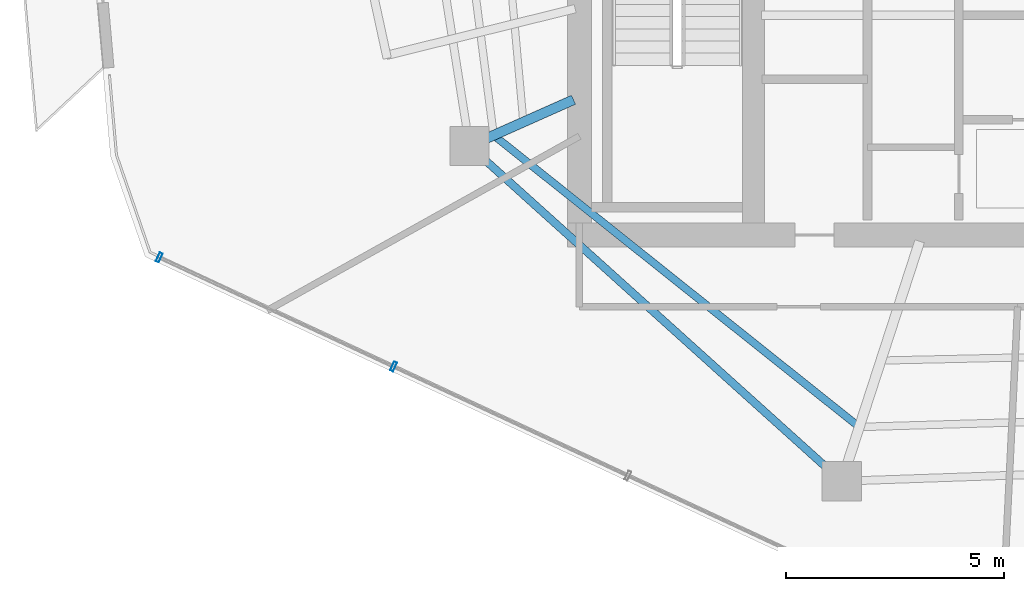
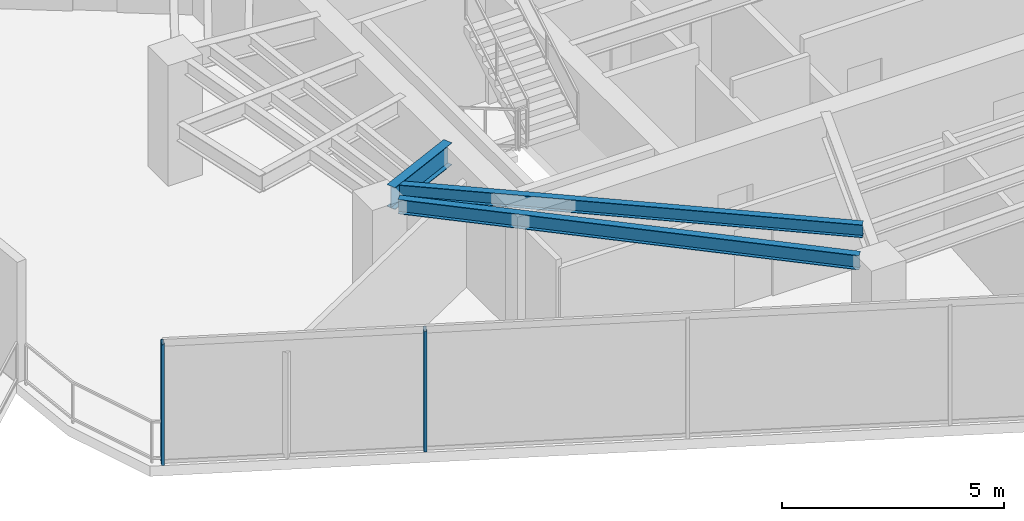
# One storey, part 4 of 20: 3 beams, 2 members, 1 element without a shape of its own.
"""IFC4 building model written with IfcOpenShell, lengths in metres."""

from ifc_helpers import new_model, si_unit, direction, frame, origin, origin_2d, place, context, subcontext, project, spatial, hollow_rectangle, i_section, extrude, material, layer, layer_set, material_profile, profile_set, type_object, element, aggregate, save


model = new_model("IFC4")

# Units and contexts
model_context = context("Model", 3, precision=1e-05, world=origin(), true_north=direction((0.0, 1.0)))
body_context = subcontext(model_context, "Body", "Model", "MODEL_VIEW")
ifc_project = project(units=[si_unit("LENGTHUNIT", "METRE"), si_unit("AREAUNIT", "SQUARE_METRE"), si_unit("VOLUMEUNIT", "CUBIC_METRE"), si_unit("PLANEANGLEUNIT", "RADIAN"), si_unit("MASSUNIT", "GRAM", prefix="KILO")], contexts=[model_context])

# Site, building, storey
site_placement = place(None, origin())
site = spatial("IfcSite", under=ifc_project, at=site_placement, CompositionType="ELEMENT")
building_placement = place(site_placement, origin())
building = spatial("IfcBuilding", under=site, at=building_placement, Name="Qarnah Convention Tower", CompositionType="ELEMENT")
storey_placement = place(building_placement, frame((0.0, 0.0, 198.60009765625)))
storey = spatial("IfcBuildingStorey", under=building, at=storey_placement, Name="L53", CompositionType="ELEMENT", Elevation=198.60009765625)

# Beams
ifc_material_1 = material(Name="Structural steel S355JR", Category="steel")
ifc_material_profile_1 = material_profile(ifc_material_1, i_section(OverallWidth=0.172119140625, OverallDepth=0.35595703125, WebThickness=0.007080078125, FlangeThickness=0.011962890625, at=origin_2d()), Name="W360X51")
ifc_profile_set_1 = profile_set([ifc_material_profile_1], Name="Structural steel S355JR")
beam_type_1 = type_object("IfcBeamType", Name="BM-JST-W360", PredefinedType="JOIST", material=ifc_profile_set_1)
beam_1_placement = place(storey_placement, frame((24.89892578125, 20.8359375, 3.141845703125), z_axis=(0.781677166358, -0.62368325903, 0.0), x_axis=(0.62368325903, 0.781677166358, 0.0)))
element("IfcBeam", 1, at=beam_1_placement, inside=storey, type_object=beam_type_1, Name="L53 joist BM-L53-SJST-06", PredefinedType="JOIST", context=body_context, shape_type="SweptSolid", body=[
    extrude(i_section(OverallWidth=0.172119140625, OverallDepth=0.35595703125, WebThickness=0.007080078125, FlangeThickness=0.011962890625, at=origin_2d()), origin(), (0.0, 0.0, 1.0), 10.569580078125),
])
ifc_material_profile_2 = material_profile(ifc_material_1, i_section(OverallWidth=0.22802734375, OverallDepth=0.60791015625, WebThickness=0.010986328125, FlangeThickness=0.01708984375, at=origin_2d()), Name="W610X113")
ifc_profile_set_2 = profile_set([ifc_material_profile_2], Name="Structural steel S355JR")
beam_type_2 = type_object("IfcBeamType", Name="BM-RAD-W610B", PredefinedType="BEAM", material=ifc_profile_set_2)
beam_2_placement = place(storey_placement, frame((26.6630859375, 21.708984375, 3.015869140625), z_axis=(-0.913585734164, -0.406646168471, 0.0), x_axis=(0.406646168471, -0.913585734164, 0.0)))
element("IfcBeam", 2, at=beam_2_placement, inside=storey, type_object=beam_type_2, Name="L53 beam BM-L53-RAD-06", PredefinedType="BEAM", context=body_context, shape_type="SweptSolid", body=[
    extrude(i_section(OverallWidth=0.22802734375, OverallDepth=0.60791015625, WebThickness=0.010986328125, FlangeThickness=0.01708984375, at=origin_2d()), origin(), (0.0, 0.0, 1.0), 2.18603515625),
])
ifc_material_profile_3 = material_profile(ifc_material_1, i_section(OverallWidth=0.179931640625, OverallDepth=0.39990234375, WebThickness=0.009033203125, FlangeThickness=0.013916015625, at=origin_2d()), Name="IPE400")
ifc_profile_set_3 = profile_set([ifc_material_profile_3], Name="Structural steel S355JR")
beam_type_3 = type_object("IfcBeamType", Name="BM-SPN-IPE400", PredefinedType="SPANDREL", material=ifc_profile_set_3)
beam_3_placement = place(storey_placement, frame((24.60009765625, 20.35107421875, 3.119873046875), z_axis=(0.743102275255, -0.669177860147, 0.0), x_axis=(0.669177860147, 0.743102275255, 0.0)))
element("IfcBeam", 3, at=beam_3_placement, inside=storey, type_object=beam_type_3, Name="L53 spandrel BM-L53-SPN-06", PredefinedType="SPANDREL", context=body_context, shape_type="SweptSolid", body=[
    extrude(i_section(OverallWidth=0.179931640625, OverallDepth=0.39990234375, WebThickness=0.009033203125, FlangeThickness=0.013916015625, at=origin_2d()), origin(), (0.0, 0.0, 1.0), 10.630859375),
])

# Curtain wall, members
ifc_material_2 = material(Name="Tempered Low-E dark glass", Category="glass")
ifc_layer = layer(ifc_material_2, 0.174072265625)
ifc_layer_set = layer_set([ifc_layer], Name="Tempered Low-E dark glass")
curtain_wall_type = type_object("IfcCurtainWallType", Name="CWS-04", PredefinedType="NOTDEFINED", material=ifc_layer_set)
curtain_wall_placement = place(storey_placement, origin())
curtain_wall = element("IfcCurtainWall", 4, at=curtain_wall_placement, inside=storey, type_object=curtain_wall_type, Name="L53 unitised curtain wall CW-L53-F2", PredefinedType="NOTDEFINED")
ifc_material_3 = material(Name="Black anodised aluminium", Category="aluminium")
ifc_material_profile_4 = material_profile(ifc_material_3, hollow_rectangle(XDim=0.074951171875, YDim=0.219970703125, WallThickness=0.0048828125, at=origin_2d()), Name="MUL-75X220")
ifc_profile_set_4 = profile_set([ifc_material_profile_4], Name="Black anodised aluminium")
member_type = type_object("IfcMemberType", Name="MUL-T4", PredefinedType="MULLION", material=ifc_profile_set_4)
member_1_placement = place(storey_placement, frame((22.5283203125, 15.577880859375, 0.0), z_axis=(0.0, 0.0, 1.0), x_axis=(-0.906605820486, 0.421978537678, 0.0)))
member_1 = element("IfcMember", 5, at=member_1_placement, type_object=member_type, Name="CW-L53-F2 mullion 5", PredefinedType="MULLION", context=body_context, shape_type="SweptSolid", body=[
    extrude(hollow_rectangle(XDim=0.074951171875, YDim=0.219970703125, WallThickness=0.0048828125, at=origin_2d()), origin(), (0.0, 0.0, 1.0), 3.31982421875),
])
member_2_placement = place(storey_placement, frame((17.14208984375, 18.0849609375, 0.0), z_axis=(0.0, 0.0, 1.0), x_axis=(-0.906605820486, 0.421978537678, 0.0)))
member_2 = element("IfcMember", 6, at=member_2_placement, type_object=member_type, Name="CW-L53-F2 mullion 6", PredefinedType="MULLION", context=body_context, shape_type="SweptSolid", body=[
    extrude(hollow_rectangle(XDim=0.074951171875, YDim=0.219970703125, WallThickness=0.0048828125, at=origin_2d()), origin(), (0.0, 0.0, 1.0), 3.31982421875),
])
aggregate(curtain_wall, [member_1, member_2])

save(model, "model.ifc")
